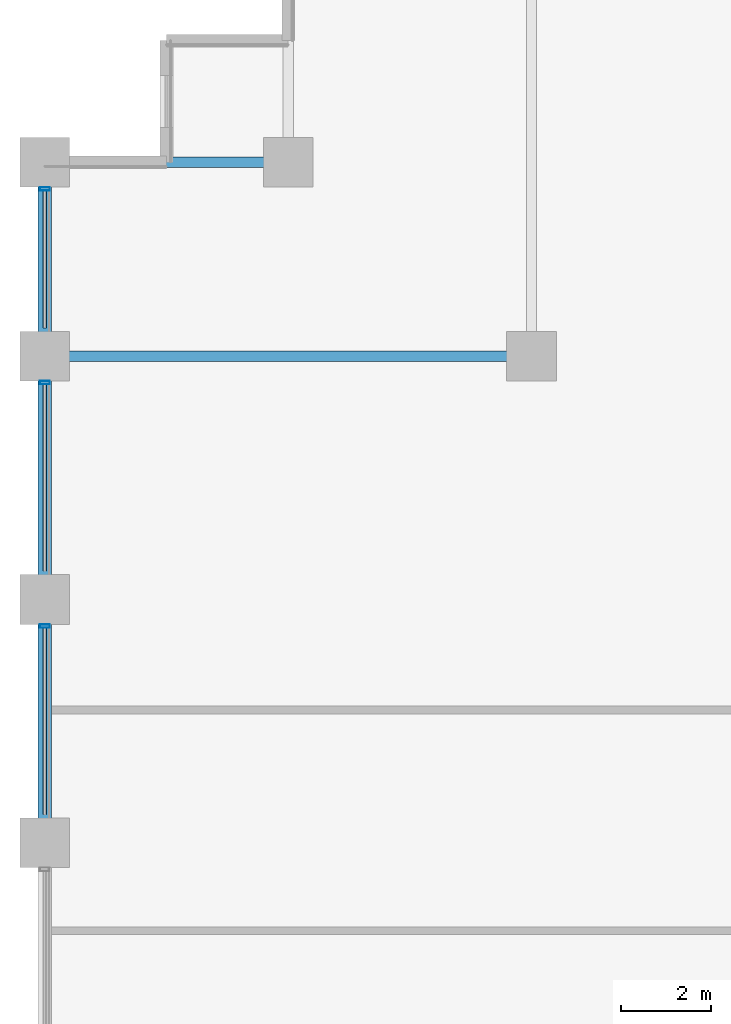
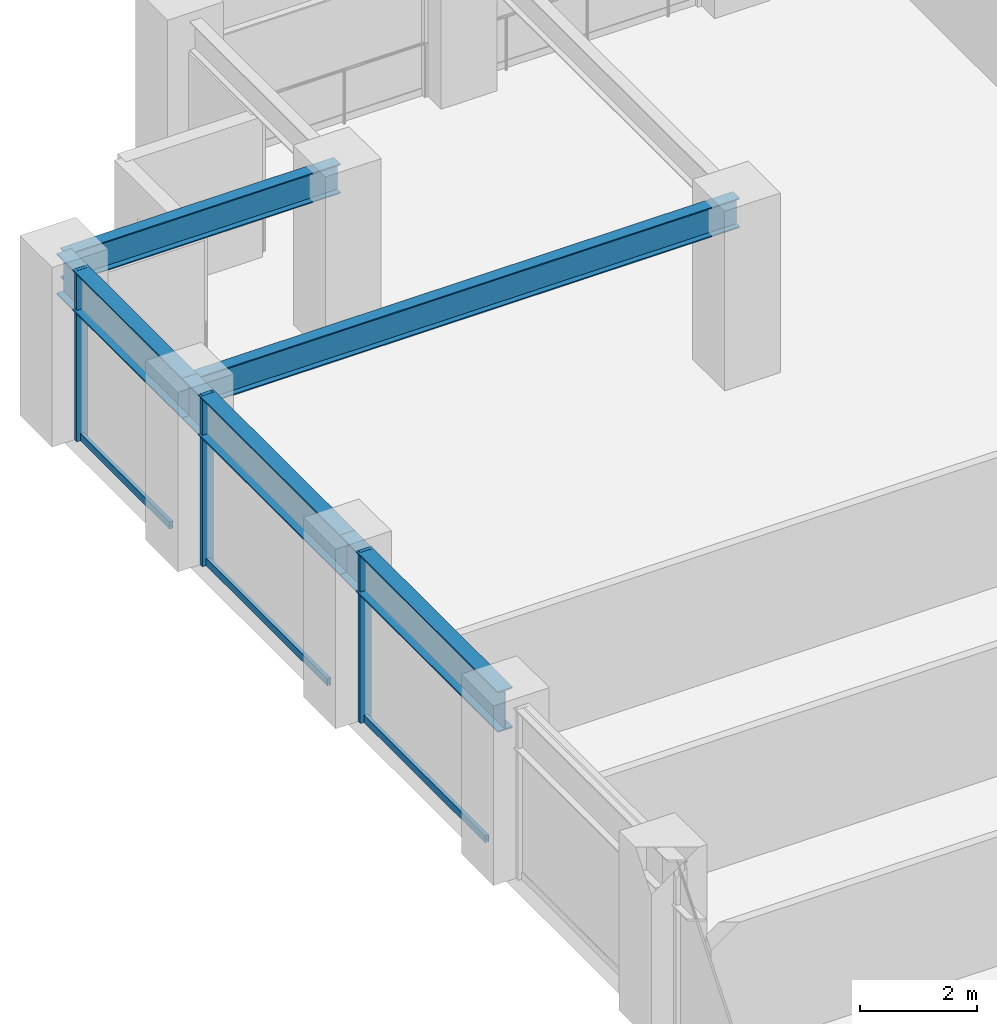
# One storey, part 11 of 30: 6 members, 5 beams, 1 element without a shape of its own.
"""IFC4 building model written with IfcOpenShell, lengths in metres."""

from ifc_helpers import new_model, si_unit, direction, frame, origin, origin_2d, place, context, subcontext, project, spatial, hollow_rectangle, i_section, extrude, material, layer, layer_set, material_profile, profile_set, type_object, element, aggregate, save


model = new_model("IFC4")

# Units and contexts
model_context = context("Model", 3, precision=1e-05, world=origin(), true_north=direction((0.0, 1.0)))
body_context = subcontext(model_context, "Body", "Model", "MODEL_VIEW")
ifc_project = project(units=[si_unit("LENGTHUNIT", "METRE"), si_unit("AREAUNIT", "SQUARE_METRE"), si_unit("VOLUMEUNIT", "CUBIC_METRE"), si_unit("PLANEANGLEUNIT", "RADIAN"), si_unit("MASSUNIT", "GRAM", prefix="KILO")], contexts=[model_context])

# Site, building, storey
site_placement = place(None, origin())
site = spatial("IfcSite", under=ifc_project, at=site_placement, CompositionType="ELEMENT")
building_placement = place(site_placement, origin())
building = spatial("IfcBuilding", under=site, at=building_placement, Name="Surkhivell Harbour Commons", CompositionType="ELEMENT")
storey_placement = place(building_placement, frame((0.0, 0.0, 83.25)))
storey = spatial("IfcBuildingStorey", under=building, at=storey_placement, Name="L21", CompositionType="ELEMENT", Elevation=83.25)

# Beams
ifc_material_1 = material(Name="Steel S355", Category="steel")
ifc_material_profile_1 = material_profile(ifc_material_1, i_section(OverallWidth=0.22998046875, OverallDepth=0.616943359375, WebThickness=0.01318359375, FlangeThickness=0.022216796875, at=origin_2d()), Name="UB610x229x140")
ifc_profile_set_1 = profile_set([ifc_material_profile_1], Name="Steel S355")
beam_type_1 = type_object("IfcBeamType", Name="BM-GRD-610B", PredefinedType="BEAM", material=ifc_profile_set_1)
beam_1_placement = place(storey_placement, frame((-32.39990234375, 16.199951171875, 3.261474609375), z_axis=(1.0, 0.0, 0.0), x_axis=(0.0, 1.0, 0.0)))
element("IfcBeam", 1, at=beam_1_placement, inside=storey, type_object=beam_type_1, Name="L21 Floor Girder (-32.4,16.2)", PredefinedType="BEAM", context=body_context, shape_type="SweptSolid", body=[
    extrude(i_section(OverallWidth=0.22998046875, OverallDepth=0.616943359375, WebThickness=0.01318359375, FlangeThickness=0.022216796875, at=origin_2d()), origin(), (0.0, 0.0, 1.0), 10.7998046875),
])
beam_2_placement = place(storey_placement, frame((-32.39990234375, 20.5, 3.261474609375), z_axis=(1.0, 0.0, 0.0), x_axis=(0.0, 1.0, 0.0)))
element("IfcBeam", 2, at=beam_2_placement, inside=storey, type_object=beam_type_1, Name="L21 Floor Girder (-32.4,20.5)", PredefinedType="BEAM", context=body_context, shape_type="SweptSolid", body=[
    extrude(i_section(OverallWidth=0.22998046875, OverallDepth=0.616943359375, WebThickness=0.01318359375, FlangeThickness=0.022216796875, at=origin_2d()), origin(), (0.0, 0.0, 1.0), 5.39990234375),
])
ifc_material_2 = material(Name="Steel S460", Category="steel")
ifc_material_profile_2 = material_profile(ifc_material_2, i_section(OverallWidth=0.2939453125, OverallDepth=0.85107421875, WebThickness=0.01611328125, FlangeThickness=0.02685546875, at=origin_2d()), Name="UB838x292x226")
ifc_profile_set_2 = profile_set([ifc_material_profile_2], Name="Steel S460")
beam_type_2 = type_object("IfcBeamType", Name="BM-SPN-838", PredefinedType="SPANDREL", material=ifc_profile_set_2)
beam_3_placement = place(storey_placement, frame((-32.39990234375, 5.39990234375, 3.14453125), z_axis=(0.0, 1.0, 0.0), x_axis=(-1.0, 0.0, 0.0)))
element("IfcBeam", 3, at=beam_3_placement, inside=storey, type_object=beam_type_2, Name="L21 Tube Spandrel (-32.4,5.4)", PredefinedType="SPANDREL", context=body_context, shape_type="SweptSolid", body=[
    extrude(i_section(OverallWidth=0.2939453125, OverallDepth=0.85107421875, WebThickness=0.01611328125, FlangeThickness=0.02685546875, at=origin_2d()), origin(), (0.0, 0.0, 1.0), 5.400146484375),
])
beam_4_placement = place(storey_placement, frame((-32.39990234375, 10.800048828125, 3.14453125), z_axis=(0.0, 1.0, 0.0), x_axis=(-1.0, 0.0, 0.0)))
element("IfcBeam", 4, at=beam_4_placement, inside=storey, type_object=beam_type_2, Name="L21 Tube Spandrel (-32.4,10.8)", PredefinedType="SPANDREL", context=body_context, shape_type="SweptSolid", body=[
    extrude(i_section(OverallWidth=0.2939453125, OverallDepth=0.85107421875, WebThickness=0.01611328125, FlangeThickness=0.02685546875, at=origin_2d()), origin(), (0.0, 0.0, 1.0), 5.39990234375),
])
beam_5_placement = place(storey_placement, frame((-32.39990234375, 16.199951171875, 3.14453125), z_axis=(0.0, 1.0, 0.0), x_axis=(-1.0, 0.0, 0.0)))
element("IfcBeam", 5, at=beam_5_placement, inside=storey, type_object=beam_type_2, Name="L21 Tube Spandrel (-32.4,16.2)", PredefinedType="SPANDREL", context=body_context, shape_type="SweptSolid", body=[
    extrude(i_section(OverallWidth=0.2939453125, OverallDepth=0.85107421875, WebThickness=0.01611328125, FlangeThickness=0.02685546875, at=origin_2d()), origin(), (0.0, 0.0, 1.0), 4.300048828125),
])

# Curtain wall, members
ifc_material_3 = material(Name="Anodised pale-metal aluminium and insulated glazing", Category="aluminium")
ifc_layer = layer(ifc_material_3, 0.205078125)
ifc_layer_set = layer_set([ifc_layer], Name="Anodised pale-metal aluminium and insulated glazing")
curtain_wall_type = type_object("IfcCurtainWallType", Name="CW-SYS-Z2", PredefinedType="NOTDEFINED", material=ifc_layer_set)
curtain_wall_placement = place(storey_placement, origin())
curtain_wall = element("IfcCurtainWall", 6, at=curtain_wall_placement, inside=storey, type_object=curtain_wall_type, Name="L21 Curtain Wall CW-L21-E12S1", PredefinedType="NOTDEFINED")
ifc_material_4 = material(Name="Anodised pale-metal aluminium alloy 6063-T6", Category="aluminium")
ifc_material_profile_3 = material_profile(ifc_material_4, hollow_rectangle(XDim=0.074951171875, YDim=0.219970703125, WallThickness=0.00390625, at=origin_2d()), Name="ALU-MULL-75x220")
ifc_profile_set_3 = profile_set([ifc_material_profile_3], Name="Anodised pale-metal aluminium alloy 6063-T6")
member_type_1 = type_object("IfcMemberType", Name="CWM-220", PredefinedType="MULLION", material=ifc_profile_set_3)
member_1_placement = place(storey_placement, frame((-32.39990234375, 19.910400390625, 0.0), z_axis=(0.0, 0.0, 1.0), x_axis=(0.0, -1.0, 0.0)))
member_1 = element("IfcMember", 7, at=member_1_placement, type_object=member_type_1, Name="CW-Z2 mullion 1", PredefinedType="MULLION", context=body_context, shape_type="SweptSolid", body=[
    extrude(hollow_rectangle(XDim=0.074951171875, YDim=0.219970703125, WallThickness=0.00390625, at=origin_2d()), origin(), (0.0, 0.0, 1.0), 3.570068359375),
])
member_2_placement = place(storey_placement, frame((-32.39990234375, 15.610595703125, 0.0), z_axis=(0.0, 0.0, 1.0), x_axis=(0.0, -1.0, 0.0)))
member_2 = element("IfcMember", 8, at=member_2_placement, type_object=member_type_1, Name="CW-Z2 mullion 2", PredefinedType="MULLION", context=body_context, shape_type="SweptSolid", body=[
    extrude(hollow_rectangle(XDim=0.074951171875, YDim=0.219970703125, WallThickness=0.00390625, at=origin_2d()), origin(), (0.0, 0.0, 1.0), 3.570068359375),
])
member_3_placement = place(storey_placement, frame((-32.39990234375, 10.21044921875, 0.0), z_axis=(0.0, 0.0, 1.0), x_axis=(0.0, -1.0, 0.0)))
member_3 = element("IfcMember", 9, at=member_3_placement, type_object=member_type_1, Name="CW-Z2 mullion 3", PredefinedType="MULLION", context=body_context, shape_type="SweptSolid", body=[
    extrude(hollow_rectangle(XDim=0.074951171875, YDim=0.219970703125, WallThickness=0.00390625, at=origin_2d()), origin(), (0.0, 0.0, 1.0), 3.570068359375),
])
ifc_material_profile_4 = material_profile(ifc_material_4, hollow_rectangle(XDim=0.074951171875, YDim=0.14990234375, WallThickness=0.00341796875, at=origin_2d()), Name="ALU-TRAN-75x150")
ifc_profile_set_4 = profile_set([ifc_material_profile_4], Name="Anodised pale-metal aluminium alloy 6063-T6")
member_type_2 = type_object("IfcMemberType", Name="CWT-150", PredefinedType="USERDEFINED", material=ifc_profile_set_4)
member_4_placement = place(storey_placement, frame((-32.39990234375, 19.873046875, 0.074951171875), z_axis=(0.0, -1.0, 0.0), x_axis=(1.0, 0.0, 0.0)))
member_4 = element("IfcMember", 10, at=member_4_placement, type_object=member_type_2, Name="CW-Z2 transom 1.1", ObjectType="TRANSOM", PredefinedType="USERDEFINED", context=body_context, shape_type="SweptSolid", body=[
    extrude(hollow_rectangle(XDim=0.074951171875, YDim=0.14990234375, WallThickness=0.00341796875, at=origin_2d()), origin(), (0.0, 0.0, 1.0), 3.046142578125),
])
member_5_placement = place(storey_placement, frame((-32.39990234375, 15.572998046875, 0.074951171875), z_axis=(0.0, -1.0, 0.0), x_axis=(1.0, 0.0, 0.0)))
member_5 = element("IfcMember", 11, at=member_5_placement, type_object=member_type_2, Name="CW-Z2 transom 2.1", ObjectType="TRANSOM", PredefinedType="USERDEFINED", context=body_context, shape_type="SweptSolid", body=[
    extrude(hollow_rectangle(XDim=0.074951171875, YDim=0.14990234375, WallThickness=0.00341796875, at=origin_2d()), origin(), (0.0, 0.0, 1.0), 4.14599609375),
])
member_6_placement = place(storey_placement, frame((-32.39990234375, 10.173095703125, 0.074951171875), z_axis=(0.0, -1.0, 0.0), x_axis=(1.0, 0.0, 0.0)))
member_6 = element("IfcMember", 12, at=member_6_placement, type_object=member_type_2, Name="CW-Z2 transom 3.1", ObjectType="TRANSOM", PredefinedType="USERDEFINED", context=body_context, shape_type="SweptSolid", body=[
    extrude(hollow_rectangle(XDim=0.074951171875, YDim=0.14990234375, WallThickness=0.00341796875, at=origin_2d()), origin(), (0.0, 0.0, 1.0), 4.14599609375),
])
aggregate(curtain_wall, [member_1, member_4, member_2, member_5, member_3, member_6])

save(model, "model.ifc")
